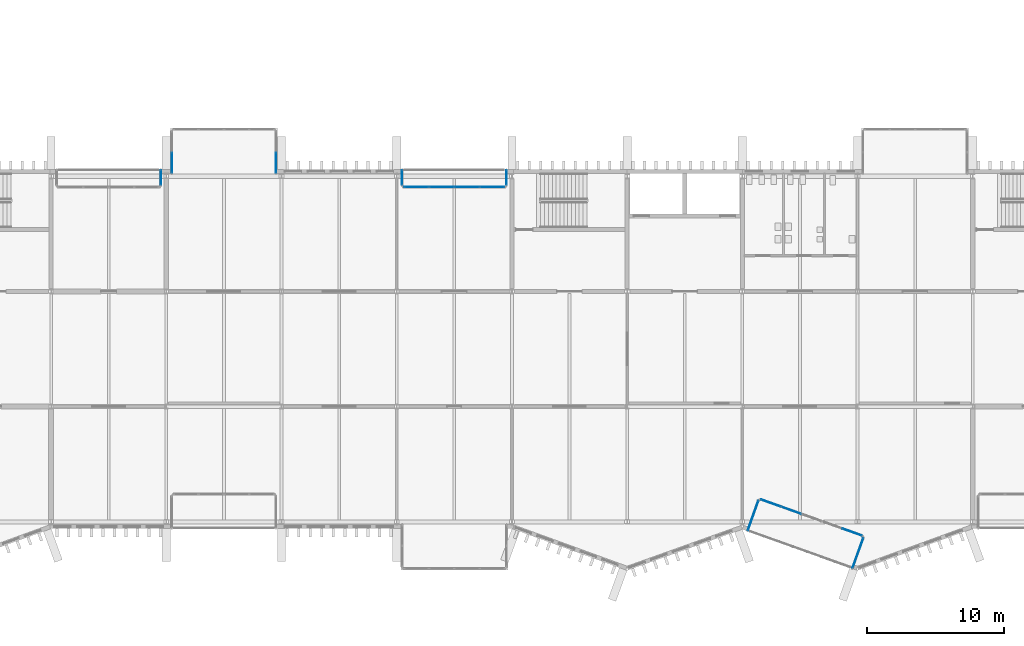
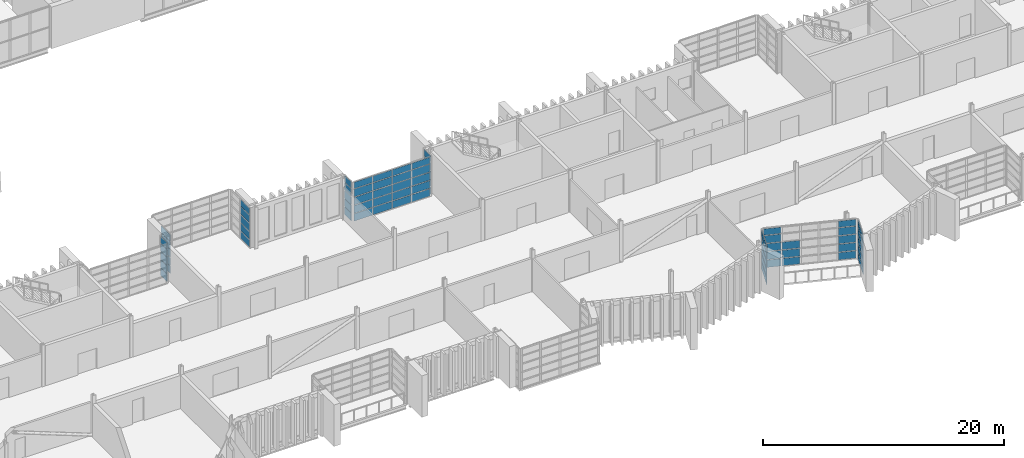
# One storey, part 50 of 100: 68 plates, 9 elements without a shape of their own.
"""IFC4 building model written with IfcOpenShell, lengths in metres."""

from ifc_helpers import new_model, si_unit, direction, frame, origin, origin_2d, place, context, subcontext, project, spatial, rectangle, extrude, material, layer, layer_set, type_object, element, aggregate, save


model = new_model("IFC4")

# Units and contexts
model_context = context("Model", 3, precision=1e-05, world=origin(), true_north=direction((0.0, 1.0)))
body_context = subcontext(model_context, "Body", "Model", "MODEL_VIEW")
ifc_project = project(units=[si_unit("LENGTHUNIT", "METRE"), si_unit("AREAUNIT", "SQUARE_METRE"), si_unit("VOLUMEUNIT", "CUBIC_METRE"), si_unit("PLANEANGLEUNIT", "RADIAN"), si_unit("MASSUNIT", "GRAM", prefix="KILO")], contexts=[model_context])

# Site, building, storey
site_placement = place(None, origin())
site = spatial("IfcSite", under=ifc_project, at=site_placement, CompositionType="ELEMENT")
building_placement = place(site_placement, origin())
building = spatial("IfcBuilding", under=site, at=building_placement, Name="Cresset Court Congress Hotel", CompositionType="ELEMENT")
storey_placement = place(building_placement, frame((0.0, 0.0, 10.199951171875)))
storey = spatial("IfcBuildingStorey", under=building, at=storey_placement, Name="L02", CompositionType="ELEMENT", Elevation=10.199951171875)

# Curtain wall, plates
ifc_material_1 = material(Name="Aluminium frame with double glazing", Category="aluminium")
ifc_layer_1 = layer(ifc_material_1, 0.199951171875)
ifc_layer_set_1 = layer_set([ifc_layer_1], Name="Glazed box curtain wall 1680 module")
curtain_wall_type = type_object("IfcCurtainWallType", Name="Glazed box curtain wall 1680 module", PredefinedType="NOTDEFINED", material=ifc_layer_set_1)
curtain_wall_1_placement = place(storey_placement, origin())
curtain_wall_1 = element("IfcCurtainWall", 1, at=curtain_wall_1_placement, inside=storey, type_object=curtain_wall_type, Name="Glazed box S0216 front", PredefinedType="NOTDEFINED")
ifc_material_2 = material(Name="Toughened double glazing", Category="glass")
ifc_layer_2 = layer(ifc_material_2, 0.028076171875)
ifc_layer_set_2 = layer_set([ifc_layer_2], Name="Box glass panel 28")
plate_type_1 = type_object("IfcPlateType", Name="Box glass panel 28", PredefinedType="CURTAIN_PANEL", material=ifc_layer_set_2)
plate_1_placement = place(storey_placement, frame((119.671630859375, 1.36474609375, 0.06005859375), z_axis=(0.0, 0.0, 1.0), x_axis=(0.941741911601, -0.336336396981, 0.0)))
plate_1 = element("IfcPlate", 2, at=plate_1_placement, type_object=plate_type_1, Name="B-X1 panel 1.1", PredefinedType="CURTAIN_PANEL", context=body_context, shape_type="SweptSolid", body=[
    extrude(rectangle(XDim=1.493896484375, YDim=0.028076171875, at=origin_2d()), origin(), (0.0, 0.0, 1.0), 0.739990234375),
])
plate_2_placement = place(storey_placement, frame((119.671630859375, 1.36474609375, 0.860107421875), z_axis=(0.0, 0.0, 1.0), x_axis=(0.941741911601, -0.336336396981, 0.0)))
plate_2 = element("IfcPlate", 3, at=plate_2_placement, type_object=plate_type_1, Name="B-X1 panel 1.2", PredefinedType="CURTAIN_PANEL", context=body_context, shape_type="SweptSolid", body=[
    extrude(rectangle(XDim=1.493896484375, YDim=0.028076171875, at=origin_2d()), origin(), (0.0, 0.0, 1.0), 0.77001953125),
])
plate_3_placement = place(storey_placement, frame((119.671630859375, 1.36474609375, 1.68994140625), z_axis=(0.0, 0.0, 1.0), x_axis=(0.941741911601, -0.336336396981, 0.0)))
plate_3 = element("IfcPlate", 4, at=plate_3_placement, type_object=plate_type_1, Name="B-X1 panel 1.3", PredefinedType="CURTAIN_PANEL", context=body_context, shape_type="SweptSolid", body=[
    extrude(rectangle(XDim=1.493896484375, YDim=0.028076171875, at=origin_2d()), origin(), (0.0, 0.0, 1.0), 0.77001953125),
])
plate_4_placement = place(storey_placement, frame((119.671630859375, 1.36474609375, 2.52001953125), z_axis=(0.0, 0.0, 1.0), x_axis=(0.941741911601, -0.336336396981, 0.0)))
plate_4 = element("IfcPlate", 5, at=plate_4_placement, type_object=plate_type_1, Name="B-X1 panel 1.4", PredefinedType="CURTAIN_PANEL", context=body_context, shape_type="SweptSolid", body=[
    extrude(rectangle(XDim=1.493896484375, YDim=0.028076171875, at=origin_2d()), origin(), (0.0, 0.0, 1.0), 0.77001953125),
])
plate_5_placement = place(storey_placement, frame((121.149169921875, 0.837158203125, 0.06005859375), z_axis=(0.0, 0.0, 1.0), x_axis=(0.941741911601, -0.336336396981, 0.0)))
plate_5 = element("IfcPlate", 6, at=plate_5_placement, type_object=plate_type_1, Name="B-X1 panel 2.1", PredefinedType="CURTAIN_PANEL", context=body_context, shape_type="SweptSolid", body=[
    extrude(rectangle(XDim=1.52392578125, YDim=0.028076171875, at=origin_2d()), origin(), (0.0, 0.0, 1.0), 0.739990234375),
])
plate_6_placement = place(storey_placement, frame((121.149169921875, 0.837158203125, 0.860107421875), z_axis=(0.0, 0.0, 1.0), x_axis=(0.941741911601, -0.336336396981, 0.0)))
plate_6 = element("IfcPlate", 7, at=plate_6_placement, type_object=plate_type_1, Name="B-X1 panel 2.2", PredefinedType="CURTAIN_PANEL", context=body_context, shape_type="SweptSolid", body=[
    extrude(rectangle(XDim=1.52392578125, YDim=0.028076171875, at=origin_2d()), origin(), (0.0, 0.0, 1.0), 0.77001953125),
])
plate_7_placement = place(storey_placement, frame((121.149169921875, 0.837158203125, 1.68994140625), z_axis=(0.0, 0.0, 1.0), x_axis=(0.941741911601, -0.336336396981, 0.0)))
plate_7 = element("IfcPlate", 8, at=plate_7_placement, type_object=plate_type_1, Name="B-X1 panel 2.3", PredefinedType="CURTAIN_PANEL", context=body_context, shape_type="SweptSolid", body=[
    extrude(rectangle(XDim=1.52392578125, YDim=0.028076171875, at=origin_2d()), origin(), (0.0, 0.0, 1.0), 0.77001953125),
])
plate_8_placement = place(storey_placement, frame((125.610107421875, -0.756103515625, 0.06005859375), z_axis=(0.0, 0.0, 1.0), x_axis=(0.941741911601, -0.336336396981, 0.0)))
plate_8 = element("IfcPlate", 9, at=plate_8_placement, type_object=plate_type_1, Name="B-X1 panel 5.1", PredefinedType="CURTAIN_PANEL", context=body_context, shape_type="SweptSolid", body=[
    extrude(rectangle(XDim=1.493896484375, YDim=0.028076171875, at=origin_2d()), origin(), (0.0, 0.0, 1.0), 0.739990234375),
])
plate_9_placement = place(storey_placement, frame((125.610107421875, -0.756103515625, 0.860107421875), z_axis=(0.0, 0.0, 1.0), x_axis=(0.941741911601, -0.336336396981, 0.0)))
plate_9 = element("IfcPlate", 10, at=plate_9_placement, type_object=plate_type_1, Name="B-X1 panel 5.2", PredefinedType="CURTAIN_PANEL", context=body_context, shape_type="SweptSolid", body=[
    extrude(rectangle(XDim=1.493896484375, YDim=0.028076171875, at=origin_2d()), origin(), (0.0, 0.0, 1.0), 0.77001953125),
])
plate_10_placement = place(storey_placement, frame((125.610107421875, -0.756103515625, 1.68994140625), z_axis=(0.0, 0.0, 1.0), x_axis=(0.941741911601, -0.336336396981, 0.0)))
plate_10 = element("IfcPlate", 11, at=plate_10_placement, type_object=plate_type_1, Name="B-X1 panel 5.3", PredefinedType="CURTAIN_PANEL", context=body_context, shape_type="SweptSolid", body=[
    extrude(rectangle(XDim=1.493896484375, YDim=0.028076171875, at=origin_2d()), origin(), (0.0, 0.0, 1.0), 0.77001953125),
])
plate_11_placement = place(storey_placement, frame((125.610107421875, -0.756103515625, 2.52001953125), z_axis=(0.0, 0.0, 1.0), x_axis=(0.941741911601, -0.336336396981, 0.0)))
plate_11 = element("IfcPlate", 12, at=plate_11_placement, type_object=plate_type_1, Name="B-X1 panel 5.4", PredefinedType="CURTAIN_PANEL", context=body_context, shape_type="SweptSolid", body=[
    extrude(rectangle(XDim=1.493896484375, YDim=0.028076171875, at=origin_2d()), origin(), (0.0, 0.0, 1.0), 0.77001953125),
])

curtain_wall_2_placement = place(storey_placement, origin())
curtain_wall_2 = element("IfcCurtainWall", 13, at=curtain_wall_2_placement, inside=storey, type_object=curtain_wall_type, Name="Glazed box S0216 side", PredefinedType="NOTDEFINED")
plate_12_placement = place(storey_placement, frame((118.38037109375, 0.445556640625, 0.06005859375), z_axis=(0.0, 0.0, 1.0), x_axis=(0.336336396685, 0.941741911707, 0.0)))
plate_12 = element("IfcPlate", 14, at=plate_12_placement, type_object=plate_type_1, Name="B-X1 panel 1.1", PredefinedType="CURTAIN_PANEL", context=body_context, shape_type="SweptSolid", body=[
    extrude(rectangle(XDim=2.280029296875, YDim=0.028076171875, at=origin_2d()), origin(), (0.0, 0.0, 1.0), 0.739990234375),
])
plate_13_placement = place(storey_placement, frame((118.38037109375, 0.445556640625, 0.860107421875), z_axis=(0.0, 0.0, 1.0), x_axis=(0.336336396685, 0.941741911707, 0.0)))
plate_13 = element("IfcPlate", 15, at=plate_13_placement, type_object=plate_type_1, Name="B-X1 panel 1.2", PredefinedType="CURTAIN_PANEL", context=body_context, shape_type="SweptSolid", body=[
    extrude(rectangle(XDim=2.280029296875, YDim=0.028076171875, at=origin_2d()), origin(), (0.0, 0.0, 1.0), 0.77001953125),
])
plate_14_placement = place(storey_placement, frame((118.38037109375, 0.445556640625, 1.68994140625), z_axis=(0.0, 0.0, 1.0), x_axis=(0.336336396685, 0.941741911707, 0.0)))
plate_14 = element("IfcPlate", 16, at=plate_14_placement, type_object=plate_type_1, Name="B-X1 panel 1.3", PredefinedType="CURTAIN_PANEL", context=body_context, shape_type="SweptSolid", body=[
    extrude(rectangle(XDim=2.280029296875, YDim=0.028076171875, at=origin_2d()), origin(), (0.0, 0.0, 1.0), 0.77001953125),
])
plate_15_placement = place(storey_placement, frame((118.38037109375, 0.445556640625, 2.52001953125), z_axis=(0.0, 0.0, 1.0), x_axis=(0.336336396685, 0.941741911707, 0.0)))
plate_15 = element("IfcPlate", 17, at=plate_15_placement, type_object=plate_type_1, Name="B-X1 panel 1.4", PredefinedType="CURTAIN_PANEL", context=body_context, shape_type="SweptSolid", body=[
    extrude(rectangle(XDim=2.280029296875, YDim=0.028076171875, at=origin_2d()), origin(), (0.0, 0.0, 1.0), 0.77001953125),
])

curtain_wall_3_placement = place(storey_placement, origin())
curtain_wall_3 = element("IfcCurtainWall", 18, at=curtain_wall_3_placement, inside=storey, type_object=curtain_wall_type, Name="Glazed box S0216 side", PredefinedType="NOTDEFINED")
plate_16_placement = place(storey_placement, frame((126.02685546875, -2.285400390625, 0.06005859375), z_axis=(0.0, 0.0, 1.0), x_axis=(0.336336397047, 0.941741911578, 0.0)))
plate_16 = element("IfcPlate", 19, at=plate_16_placement, type_object=plate_type_1, Name="B-X1 panel 1.1", PredefinedType="CURTAIN_PANEL", context=body_context, shape_type="SweptSolid", body=[
    extrude(rectangle(XDim=2.280029296875, YDim=0.028076171875, at=origin_2d()), origin(), (0.0, 0.0, 1.0), 0.739990234375),
])
plate_17_placement = place(storey_placement, frame((126.02685546875, -2.285400390625, 0.860107421875), z_axis=(0.0, 0.0, 1.0), x_axis=(0.336336397047, 0.941741911578, 0.0)))
plate_17 = element("IfcPlate", 20, at=plate_17_placement, type_object=plate_type_1, Name="B-X1 panel 1.2", PredefinedType="CURTAIN_PANEL", context=body_context, shape_type="SweptSolid", body=[
    extrude(rectangle(XDim=2.280029296875, YDim=0.028076171875, at=origin_2d()), origin(), (0.0, 0.0, 1.0), 0.77001953125),
])
plate_18_placement = place(storey_placement, frame((126.02685546875, -2.285400390625, 1.68994140625), z_axis=(0.0, 0.0, 1.0), x_axis=(0.336336397047, 0.941741911578, 0.0)))
plate_18 = element("IfcPlate", 21, at=plate_18_placement, type_object=plate_type_1, Name="B-X1 panel 1.3", PredefinedType="CURTAIN_PANEL", context=body_context, shape_type="SweptSolid", body=[
    extrude(rectangle(XDim=2.280029296875, YDim=0.028076171875, at=origin_2d()), origin(), (0.0, 0.0, 1.0), 0.77001953125),
])
plate_19_placement = place(storey_placement, frame((126.02685546875, -2.285400390625, 2.52001953125), z_axis=(0.0, 0.0, 1.0), x_axis=(0.336336397047, 0.941741911578, 0.0)))
plate_19 = element("IfcPlate", 22, at=plate_19_placement, type_object=plate_type_1, Name="B-X1 panel 1.4", PredefinedType="CURTAIN_PANEL", context=body_context, shape_type="SweptSolid", body=[
    extrude(rectangle(XDim=2.280029296875, YDim=0.028076171875, at=origin_2d()), origin(), (0.0, 0.0, 1.0), 0.77001953125),
])

curtain_wall_4_placement = place(storey_placement, origin())
curtain_wall_4 = element("IfcCurtainWall", 23, at=curtain_wall_4_placement, inside=storey, type_object=curtain_wall_type, Name="Glazed box N0226 side", PredefinedType="NOTDEFINED")
plate_20_placement = place(storey_placement, frame((75.199951171875, 25.10009765625, 0.06005859375), z_axis=(0.0, 0.0, 1.0), x_axis=(0.0, -1.0, 0.0)))
plate_20 = element("IfcPlate", 24, at=plate_20_placement, type_object=plate_type_1, Name="B-X1 panel 1.1", PredefinedType="CURTAIN_PANEL", context=body_context, shape_type="SweptSolid", body=[
    extrude(rectangle(XDim=1.080078125, YDim=0.028076171875, at=origin_2d()), origin(), (0.0, 0.0, 1.0), 0.739990234375),
])
plate_21_placement = place(storey_placement, frame((75.199951171875, 25.10009765625, 0.860107421875), z_axis=(0.0, 0.0, 1.0), x_axis=(0.0, -1.0, 0.0)))
plate_21 = element("IfcPlate", 25, at=plate_21_placement, type_object=plate_type_1, Name="B-X1 panel 1.2", PredefinedType="CURTAIN_PANEL", context=body_context, shape_type="SweptSolid", body=[
    extrude(rectangle(XDim=1.080078125, YDim=0.028076171875, at=origin_2d()), origin(), (0.0, 0.0, 1.0), 0.77001953125),
])
plate_22_placement = place(storey_placement, frame((75.199951171875, 25.10009765625, 1.68994140625), z_axis=(0.0, 0.0, 1.0), x_axis=(0.0, -1.0, 0.0)))
plate_22 = element("IfcPlate", 26, at=plate_22_placement, type_object=plate_type_1, Name="B-X1 panel 1.3", PredefinedType="CURTAIN_PANEL", context=body_context, shape_type="SweptSolid", body=[
    extrude(rectangle(XDim=1.080078125, YDim=0.028076171875, at=origin_2d()), origin(), (0.0, 0.0, 1.0), 0.77001953125),
])
plate_23_placement = place(storey_placement, frame((75.199951171875, 25.10009765625, 2.52001953125), z_axis=(0.0, 0.0, 1.0), x_axis=(0.0, -1.0, 0.0)))
plate_23 = element("IfcPlate", 27, at=plate_23_placement, type_object=plate_type_1, Name="B-X1 panel 1.4", PredefinedType="CURTAIN_PANEL", context=body_context, shape_type="SweptSolid", body=[
    extrude(rectangle(XDim=1.080078125, YDim=0.028076171875, at=origin_2d()), origin(), (0.0, 0.0, 1.0), 0.77001953125),
])

curtain_wall_5_placement = place(storey_placement, origin())
curtain_wall_5 = element("IfcCurtainWall", 28, at=curtain_wall_5_placement, inside=storey, type_object=curtain_wall_type, Name="Glazed box N0228 side", PredefinedType="NOTDEFINED")
plate_24_placement = place(storey_placement, frame((76.0, 26.18994140625, 0.06005859375), z_axis=(0.0, 0.0, 1.0), x_axis=(0.0, 1.0, 0.0)))
plate_24 = element("IfcPlate", 29, at=plate_24_placement, type_object=plate_type_1, Name="B-X1 panel 1.1", PredefinedType="CURTAIN_PANEL", context=body_context, shape_type="SweptSolid", body=[
    extrude(rectangle(XDim=1.4599609375, YDim=0.028076171875, at=origin_2d()), origin(), (0.0, 0.0, 1.0), 0.739990234375),
])
plate_25_placement = place(storey_placement, frame((76.0, 26.18994140625, 0.860107421875), z_axis=(0.0, 0.0, 1.0), x_axis=(0.0, 1.0, 0.0)))
plate_25 = element("IfcPlate", 30, at=plate_25_placement, type_object=plate_type_1, Name="B-X1 panel 1.2", PredefinedType="CURTAIN_PANEL", context=body_context, shape_type="SweptSolid", body=[
    extrude(rectangle(XDim=1.4599609375, YDim=0.028076171875, at=origin_2d()), origin(), (0.0, 0.0, 1.0), 0.77001953125),
])
plate_26_placement = place(storey_placement, frame((76.0, 26.18994140625, 1.68994140625), z_axis=(0.0, 0.0, 1.0), x_axis=(0.0, 1.0, 0.0)))
plate_26 = element("IfcPlate", 31, at=plate_26_placement, type_object=plate_type_1, Name="B-X1 panel 1.3", PredefinedType="CURTAIN_PANEL", context=body_context, shape_type="SweptSolid", body=[
    extrude(rectangle(XDim=1.4599609375, YDim=0.028076171875, at=origin_2d()), origin(), (0.0, 0.0, 1.0), 0.77001953125),
])
plate_27_placement = place(storey_placement, frame((76.0, 26.18994140625, 2.52001953125), z_axis=(0.0, 0.0, 1.0), x_axis=(0.0, 1.0, 0.0)))
plate_27 = element("IfcPlate", 32, at=plate_27_placement, type_object=plate_type_1, Name="B-X1 panel 1.4", PredefinedType="CURTAIN_PANEL", context=body_context, shape_type="SweptSolid", body=[
    extrude(rectangle(XDim=1.4599609375, YDim=0.028076171875, at=origin_2d()), origin(), (0.0, 0.0, 1.0), 0.77001953125),
])

curtain_wall_6_placement = place(storey_placement, origin())
curtain_wall_6 = element("IfcCurtainWall", 33, at=curtain_wall_6_placement, inside=storey, type_object=curtain_wall_type, Name="Glazed box N0228 side", PredefinedType="NOTDEFINED")
plate_28_placement = place(storey_placement, frame((83.60009765625, 26.18994140625, 0.06005859375), z_axis=(0.0, 0.0, 1.0), x_axis=(0.0, 1.0, 0.0)))
plate_28 = element("IfcPlate", 34, at=plate_28_placement, type_object=plate_type_1, Name="B-X1 panel 1.1", PredefinedType="CURTAIN_PANEL", context=body_context, shape_type="SweptSolid", body=[
    extrude(rectangle(XDim=1.4599609375, YDim=0.028076171875, at=origin_2d()), origin(), (0.0, 0.0, 1.0), 0.739990234375),
])
plate_29_placement = place(storey_placement, frame((83.60009765625, 26.18994140625, 0.860107421875), z_axis=(0.0, 0.0, 1.0), x_axis=(0.0, 1.0, 0.0)))
plate_29 = element("IfcPlate", 35, at=plate_29_placement, type_object=plate_type_1, Name="B-X1 panel 1.2", PredefinedType="CURTAIN_PANEL", context=body_context, shape_type="SweptSolid", body=[
    extrude(rectangle(XDim=1.4599609375, YDim=0.028076171875, at=origin_2d()), origin(), (0.0, 0.0, 1.0), 0.77001953125),
])
plate_30_placement = place(storey_placement, frame((83.60009765625, 26.18994140625, 1.68994140625), z_axis=(0.0, 0.0, 1.0), x_axis=(0.0, 1.0, 0.0)))
plate_30 = element("IfcPlate", 36, at=plate_30_placement, type_object=plate_type_1, Name="B-X1 panel 1.3", PredefinedType="CURTAIN_PANEL", context=body_context, shape_type="SweptSolid", body=[
    extrude(rectangle(XDim=1.4599609375, YDim=0.028076171875, at=origin_2d()), origin(), (0.0, 0.0, 1.0), 0.77001953125),
])
plate_31_placement = place(storey_placement, frame((83.60009765625, 26.18994140625, 2.52001953125), z_axis=(0.0, 0.0, 1.0), x_axis=(0.0, 1.0, 0.0)))
plate_31 = element("IfcPlate", 37, at=plate_31_placement, type_object=plate_type_1, Name="B-X1 panel 1.4", PredefinedType="CURTAIN_PANEL", context=body_context, shape_type="SweptSolid", body=[
    extrude(rectangle(XDim=1.4599609375, YDim=0.028076171875, at=origin_2d()), origin(), (0.0, 0.0, 1.0), 0.77001953125),
])

curtain_wall_7_placement = place(storey_placement, origin())
curtain_wall_7 = element("IfcCurtainWall", 38, at=curtain_wall_7_placement, inside=storey, type_object=curtain_wall_type, Name="Glazed box N0230 front", PredefinedType="NOTDEFINED")
plate_32_placement = place(storey_placement, frame((93.840087890625, 24.39990234375, 0.06005859375), z_axis=(0.0, 0.0, 1.0), x_axis=(1.0, 0.0, 0.0)))
plate_32 = element("IfcPlate", 39, at=plate_32_placement, type_object=plate_type_1, Name="B-X1 panel 1.1", PredefinedType="CURTAIN_PANEL", context=body_context, shape_type="SweptSolid", body=[
    extrude(rectangle(XDim=1.760009765625, YDim=0.028076171875, at=origin_2d()), origin(), (0.0, 0.0, 1.0), 0.739990234375),
])
plate_33_placement = place(storey_placement, frame((93.840087890625, 24.39990234375, 0.860107421875), z_axis=(0.0, 0.0, 1.0), x_axis=(1.0, 0.0, 0.0)))
plate_33 = element("IfcPlate", 40, at=plate_33_placement, type_object=plate_type_1, Name="B-X1 panel 1.2", PredefinedType="CURTAIN_PANEL", context=body_context, shape_type="SweptSolid", body=[
    extrude(rectangle(XDim=1.760009765625, YDim=0.028076171875, at=origin_2d()), origin(), (0.0, 0.0, 1.0), 0.77001953125),
])
plate_34_placement = place(storey_placement, frame((93.840087890625, 24.39990234375, 1.68994140625), z_axis=(0.0, 0.0, 1.0), x_axis=(1.0, 0.0, 0.0)))
plate_34 = element("IfcPlate", 41, at=plate_34_placement, type_object=plate_type_1, Name="B-X1 panel 1.3", PredefinedType="CURTAIN_PANEL", context=body_context, shape_type="SweptSolid", body=[
    extrude(rectangle(XDim=1.760009765625, YDim=0.028076171875, at=origin_2d()), origin(), (0.0, 0.0, 1.0), 0.77001953125),
])
plate_35_placement = place(storey_placement, frame((93.840087890625, 24.39990234375, 2.52001953125), z_axis=(0.0, 0.0, 1.0), x_axis=(1.0, 0.0, 0.0)))
plate_35 = element("IfcPlate", 42, at=plate_35_placement, type_object=plate_type_1, Name="B-X1 panel 1.4", PredefinedType="CURTAIN_PANEL", context=body_context, shape_type="SweptSolid", body=[
    extrude(rectangle(XDim=1.760009765625, YDim=0.028076171875, at=origin_2d()), origin(), (0.0, 0.0, 1.0), 0.77001953125),
])
plate_36_placement = place(storey_placement, frame((95.675048828125, 24.39990234375, 0.06005859375), z_axis=(0.0, 0.0, 1.0), x_axis=(1.0, 0.0, 0.0)))
plate_36 = element("IfcPlate", 43, at=plate_36_placement, type_object=plate_type_1, Name="B-X1 panel 2.1", PredefinedType="CURTAIN_PANEL", context=body_context, shape_type="SweptSolid", body=[
    extrude(rectangle(XDim=1.7900390625, YDim=0.028076171875, at=origin_2d()), origin(), (0.0, 0.0, 1.0), 0.739990234375),
])
plate_37_placement = place(storey_placement, frame((95.675048828125, 24.39990234375, 0.860107421875), z_axis=(0.0, 0.0, 1.0), x_axis=(1.0, 0.0, 0.0)))
plate_37 = element("IfcPlate", 44, at=plate_37_placement, type_object=plate_type_1, Name="B-X1 panel 2.2", PredefinedType="CURTAIN_PANEL", context=body_context, shape_type="SweptSolid", body=[
    extrude(rectangle(XDim=1.7900390625, YDim=0.028076171875, at=origin_2d()), origin(), (0.0, 0.0, 1.0), 0.77001953125),
])
plate_38_placement = place(storey_placement, frame((95.675048828125, 24.39990234375, 1.68994140625), z_axis=(0.0, 0.0, 1.0), x_axis=(1.0, 0.0, 0.0)))
plate_38 = element("IfcPlate", 45, at=plate_38_placement, type_object=plate_type_1, Name="B-X1 panel 2.3", PredefinedType="CURTAIN_PANEL", context=body_context, shape_type="SweptSolid", body=[
    extrude(rectangle(XDim=1.7900390625, YDim=0.028076171875, at=origin_2d()), origin(), (0.0, 0.0, 1.0), 0.77001953125),
])
plate_39_placement = place(storey_placement, frame((95.675048828125, 24.39990234375, 2.52001953125), z_axis=(0.0, 0.0, 1.0), x_axis=(1.0, 0.0, 0.0)))
plate_39 = element("IfcPlate", 46, at=plate_39_placement, type_object=plate_type_1, Name="B-X1 panel 2.4", PredefinedType="CURTAIN_PANEL", context=body_context, shape_type="SweptSolid", body=[
    extrude(rectangle(XDim=1.7900390625, YDim=0.028076171875, at=origin_2d()), origin(), (0.0, 0.0, 1.0), 0.77001953125),
])
plate_40_placement = place(storey_placement, frame((97.52490234375, 24.39990234375, 0.06005859375), z_axis=(0.0, 0.0, 1.0), x_axis=(1.0, 0.0, 0.0)))
plate_40 = element("IfcPlate", 47, at=plate_40_placement, type_object=plate_type_1, Name="B-X1 panel 3.1", PredefinedType="CURTAIN_PANEL", context=body_context, shape_type="SweptSolid", body=[
    extrude(rectangle(XDim=1.7900390625, YDim=0.028076171875, at=origin_2d()), origin(), (0.0, 0.0, 1.0), 0.739990234375),
])
plate_41_placement = place(storey_placement, frame((97.52490234375, 24.39990234375, 0.860107421875), z_axis=(0.0, 0.0, 1.0), x_axis=(1.0, 0.0, 0.0)))
plate_41 = element("IfcPlate", 48, at=plate_41_placement, type_object=plate_type_1, Name="B-X1 panel 3.2", PredefinedType="CURTAIN_PANEL", context=body_context, shape_type="SweptSolid", body=[
    extrude(rectangle(XDim=1.7900390625, YDim=0.028076171875, at=origin_2d()), origin(), (0.0, 0.0, 1.0), 0.77001953125),
])
plate_42_placement = place(storey_placement, frame((97.52490234375, 24.39990234375, 1.68994140625), z_axis=(0.0, 0.0, 1.0), x_axis=(1.0, 0.0, 0.0)))
plate_42 = element("IfcPlate", 49, at=plate_42_placement, type_object=plate_type_1, Name="B-X1 panel 3.3", PredefinedType="CURTAIN_PANEL", context=body_context, shape_type="SweptSolid", body=[
    extrude(rectangle(XDim=1.7900390625, YDim=0.028076171875, at=origin_2d()), origin(), (0.0, 0.0, 1.0), 0.77001953125),
])
plate_43_placement = place(storey_placement, frame((97.52490234375, 24.39990234375, 2.52001953125), z_axis=(0.0, 0.0, 1.0), x_axis=(1.0, 0.0, 0.0)))
plate_43 = element("IfcPlate", 50, at=plate_43_placement, type_object=plate_type_1, Name="B-X1 panel 3.4", PredefinedType="CURTAIN_PANEL", context=body_context, shape_type="SweptSolid", body=[
    extrude(rectangle(XDim=1.7900390625, YDim=0.028076171875, at=origin_2d()), origin(), (0.0, 0.0, 1.0), 0.77001953125),
])
plate_44_placement = place(storey_placement, frame((99.360107421875, 24.39990234375, 0.06005859375), z_axis=(0.0, 0.0, 1.0), x_axis=(1.0, 0.0, 0.0)))
plate_44 = element("IfcPlate", 51, at=plate_44_placement, type_object=plate_type_1, Name="B-X1 panel 4.1", PredefinedType="CURTAIN_PANEL", context=body_context, shape_type="SweptSolid", body=[
    extrude(rectangle(XDim=1.760009765625, YDim=0.028076171875, at=origin_2d()), origin(), (0.0, 0.0, 1.0), 0.739990234375),
])
plate_45_placement = place(storey_placement, frame((99.360107421875, 24.39990234375, 0.860107421875), z_axis=(0.0, 0.0, 1.0), x_axis=(1.0, 0.0, 0.0)))
plate_45 = element("IfcPlate", 52, at=plate_45_placement, type_object=plate_type_1, Name="B-X1 panel 4.2", PredefinedType="CURTAIN_PANEL", context=body_context, shape_type="SweptSolid", body=[
    extrude(rectangle(XDim=1.760009765625, YDim=0.028076171875, at=origin_2d()), origin(), (0.0, 0.0, 1.0), 0.77001953125),
])
plate_46_placement = place(storey_placement, frame((99.360107421875, 24.39990234375, 1.68994140625), z_axis=(0.0, 0.0, 1.0), x_axis=(1.0, 0.0, 0.0)))
plate_46 = element("IfcPlate", 53, at=plate_46_placement, type_object=plate_type_1, Name="B-X1 panel 4.3", PredefinedType="CURTAIN_PANEL", context=body_context, shape_type="SweptSolid", body=[
    extrude(rectangle(XDim=1.760009765625, YDim=0.028076171875, at=origin_2d()), origin(), (0.0, 0.0, 1.0), 0.77001953125),
])
plate_47_placement = place(storey_placement, frame((99.360107421875, 24.39990234375, 2.52001953125), z_axis=(0.0, 0.0, 1.0), x_axis=(1.0, 0.0, 0.0)))
plate_47 = element("IfcPlate", 54, at=plate_47_placement, type_object=plate_type_1, Name="B-X1 panel 4.4", PredefinedType="CURTAIN_PANEL", context=body_context, shape_type="SweptSolid", body=[
    extrude(rectangle(XDim=1.760009765625, YDim=0.028076171875, at=origin_2d()), origin(), (0.0, 0.0, 1.0), 0.77001953125),
])

curtain_wall_8_placement = place(storey_placement, origin())
curtain_wall_8 = element("IfcCurtainWall", 55, at=curtain_wall_8_placement, inside=storey, type_object=curtain_wall_type, Name="Glazed box N0230 side", PredefinedType="NOTDEFINED")
plate_48_placement = place(storey_placement, frame((92.800048828125, 25.10009765625, 0.06005859375), z_axis=(0.0, 0.0, 1.0), x_axis=(0.0, -1.0, 0.0)))
plate_48 = element("IfcPlate", 56, at=plate_48_placement, type_object=plate_type_1, Name="B-X1 panel 1.1", PredefinedType="CURTAIN_PANEL", context=body_context, shape_type="SweptSolid", body=[
    extrude(rectangle(XDim=1.080078125, YDim=0.028076171875, at=origin_2d()), origin(), (0.0, 0.0, 1.0), 0.739990234375),
])
plate_49_placement = place(storey_placement, frame((92.800048828125, 25.10009765625, 0.860107421875), z_axis=(0.0, 0.0, 1.0), x_axis=(0.0, -1.0, 0.0)))
plate_49 = element("IfcPlate", 57, at=plate_49_placement, type_object=plate_type_1, Name="B-X1 panel 1.2", PredefinedType="CURTAIN_PANEL", context=body_context, shape_type="SweptSolid", body=[
    extrude(rectangle(XDim=1.080078125, YDim=0.028076171875, at=origin_2d()), origin(), (0.0, 0.0, 1.0), 0.77001953125),
])
plate_50_placement = place(storey_placement, frame((92.800048828125, 25.10009765625, 1.68994140625), z_axis=(0.0, 0.0, 1.0), x_axis=(0.0, -1.0, 0.0)))
plate_50 = element("IfcPlate", 58, at=plate_50_placement, type_object=plate_type_1, Name="B-X1 panel 1.3", PredefinedType="CURTAIN_PANEL", context=body_context, shape_type="SweptSolid", body=[
    extrude(rectangle(XDim=1.080078125, YDim=0.028076171875, at=origin_2d()), origin(), (0.0, 0.0, 1.0), 0.77001953125),
])
plate_51_placement = place(storey_placement, frame((92.800048828125, 25.10009765625, 2.52001953125), z_axis=(0.0, 0.0, 1.0), x_axis=(0.0, -1.0, 0.0)))
plate_51 = element("IfcPlate", 59, at=plate_51_placement, type_object=plate_type_1, Name="B-X1 panel 1.4", PredefinedType="CURTAIN_PANEL", context=body_context, shape_type="SweptSolid", body=[
    extrude(rectangle(XDim=1.080078125, YDim=0.028076171875, at=origin_2d()), origin(), (0.0, 0.0, 1.0), 0.77001953125),
])

curtain_wall_9_placement = place(storey_placement, origin())
curtain_wall_9 = element("IfcCurtainWall", 60, at=curtain_wall_9_placement, inside=storey, type_object=curtain_wall_type, Name="Glazed box N0230 side", PredefinedType="NOTDEFINED")
plate_52_placement = place(storey_placement, frame((100.39990234375, 25.10009765625, 0.06005859375), z_axis=(0.0, 0.0, 1.0), x_axis=(0.0, -1.0, 0.0)))
plate_52 = element("IfcPlate", 61, at=plate_52_placement, type_object=plate_type_1, Name="B-X1 panel 1.1", PredefinedType="CURTAIN_PANEL", context=body_context, shape_type="SweptSolid", body=[
    extrude(rectangle(XDim=1.080078125, YDim=0.028076171875, at=origin_2d()), origin(), (0.0, 0.0, 1.0), 0.739990234375),
])
plate_53_placement = place(storey_placement, frame((100.39990234375, 25.10009765625, 0.860107421875), z_axis=(0.0, 0.0, 1.0), x_axis=(0.0, -1.0, 0.0)))
plate_53 = element("IfcPlate", 62, at=plate_53_placement, type_object=plate_type_1, Name="B-X1 panel 1.2", PredefinedType="CURTAIN_PANEL", context=body_context, shape_type="SweptSolid", body=[
    extrude(rectangle(XDim=1.080078125, YDim=0.028076171875, at=origin_2d()), origin(), (0.0, 0.0, 1.0), 0.77001953125),
])
plate_54_placement = place(storey_placement, frame((100.39990234375, 25.10009765625, 1.68994140625), z_axis=(0.0, 0.0, 1.0), x_axis=(0.0, -1.0, 0.0)))
plate_54 = element("IfcPlate", 63, at=plate_54_placement, type_object=plate_type_1, Name="B-X1 panel 1.3", PredefinedType="CURTAIN_PANEL", context=body_context, shape_type="SweptSolid", body=[
    extrude(rectangle(XDim=1.080078125, YDim=0.028076171875, at=origin_2d()), origin(), (0.0, 0.0, 1.0), 0.77001953125),
])
plate_55_placement = place(storey_placement, frame((100.39990234375, 25.10009765625, 2.52001953125), z_axis=(0.0, 0.0, 1.0), x_axis=(0.0, -1.0, 0.0)))
plate_55 = element("IfcPlate", 64, at=plate_55_placement, type_object=plate_type_1, Name="B-X1 panel 1.4", PredefinedType="CURTAIN_PANEL", context=body_context, shape_type="SweptSolid", body=[
    extrude(rectangle(XDim=1.080078125, YDim=0.028076171875, at=origin_2d()), origin(), (0.0, 0.0, 1.0), 0.77001953125),
])

# Plate
ifc_material_3 = material(Name="Insulated aluminium spandrel panel", Category="aluminium")
ifc_layer_3 = layer(ifc_material_3, 0.0400390625)
ifc_layer_set_3 = layer_set([ifc_layer_3], Name="Box spandrel panel 40")
plate_type_2 = type_object("IfcPlateType", Name="Box spandrel panel 40", PredefinedType="CURTAIN_PANEL", material=ifc_layer_set_3)
plate_56_placement = place(storey_placement, frame((119.671630859375, 1.36474609375, 3.35009765625), z_axis=(0.0, 0.0, 1.0), x_axis=(0.941741911601, -0.336336396981, 0.0)))
plate_56 = element("IfcPlate", 65, at=plate_56_placement, type_object=plate_type_2, Name="B-X1 spandrel panel 1.5", PredefinedType="CURTAIN_PANEL", context=body_context, shape_type="SweptSolid", body=[
    extrude(rectangle(XDim=1.493896484375, YDim=0.0400390625, at=origin_2d()), origin(), (0.0, 0.0, 1.0), 0.639892578125),
])

plate_57_placement = place(storey_placement, frame((125.610107421875, -0.756103515625, 3.35009765625), z_axis=(0.0, 0.0, 1.0), x_axis=(0.941741911601, -0.336336396981, 0.0)))
plate_57 = element("IfcPlate", 66, at=plate_57_placement, type_object=plate_type_2, Name="B-X1 spandrel panel 5.5", PredefinedType="CURTAIN_PANEL", context=body_context, shape_type="SweptSolid", body=[
    extrude(rectangle(XDim=1.493896484375, YDim=0.0400390625, at=origin_2d()), origin(), (0.0, 0.0, 1.0), 0.639892578125),
])

aggregate(curtain_wall_1, [plate_1, plate_2, plate_3, plate_4, plate_56, plate_5, plate_6, plate_7, plate_8, plate_9, plate_10, plate_11, plate_57])

plate_58_placement = place(storey_placement, frame((118.38037109375, 0.445556640625, 3.35009765625), z_axis=(0.0, 0.0, 1.0), x_axis=(0.336336396685, 0.941741911707, 0.0)))
plate_58 = element("IfcPlate", 67, at=plate_58_placement, type_object=plate_type_2, Name="B-X1 spandrel panel 1.5", PredefinedType="CURTAIN_PANEL", context=body_context, shape_type="SweptSolid", body=[
    extrude(rectangle(XDim=2.280029296875, YDim=0.0400390625, at=origin_2d()), origin(), (0.0, 0.0, 1.0), 0.639892578125),
])

aggregate(curtain_wall_2, [plate_12, plate_13, plate_14, plate_15, plate_58])

plate_59_placement = place(storey_placement, frame((126.02685546875, -2.285400390625, 3.35009765625), z_axis=(0.0, 0.0, 1.0), x_axis=(0.336336397047, 0.941741911578, 0.0)))
plate_59 = element("IfcPlate", 68, at=plate_59_placement, type_object=plate_type_2, Name="B-X1 spandrel panel 1.5", PredefinedType="CURTAIN_PANEL", context=body_context, shape_type="SweptSolid", body=[
    extrude(rectangle(XDim=2.280029296875, YDim=0.0400390625, at=origin_2d()), origin(), (0.0, 0.0, 1.0), 0.639892578125),
])

aggregate(curtain_wall_3, [plate_16, plate_17, plate_18, plate_19, plate_59])

plate_60_placement = place(storey_placement, frame((75.199951171875, 25.10009765625, 3.35009765625), z_axis=(0.0, 0.0, 1.0), x_axis=(0.0, -1.0, 0.0)))
plate_60 = element("IfcPlate", 69, at=plate_60_placement, type_object=plate_type_2, Name="B-X1 spandrel panel 1.5", PredefinedType="CURTAIN_PANEL", context=body_context, shape_type="SweptSolid", body=[
    extrude(rectangle(XDim=1.080078125, YDim=0.0400390625, at=origin_2d()), origin(), (0.0, 0.0, 1.0), 0.639892578125),
])

aggregate(curtain_wall_4, [plate_20, plate_21, plate_22, plate_23, plate_60])

plate_61_placement = place(storey_placement, frame((76.0, 26.18994140625, 3.35009765625), z_axis=(0.0, 0.0, 1.0), x_axis=(0.0, 1.0, 0.0)))
plate_61 = element("IfcPlate", 70, at=plate_61_placement, type_object=plate_type_2, Name="B-X1 spandrel panel 1.5", PredefinedType="CURTAIN_PANEL", context=body_context, shape_type="SweptSolid", body=[
    extrude(rectangle(XDim=1.4599609375, YDim=0.0400390625, at=origin_2d()), origin(), (0.0, 0.0, 1.0), 0.639892578125),
])

aggregate(curtain_wall_5, [plate_24, plate_25, plate_26, plate_27, plate_61])

plate_62_placement = place(storey_placement, frame((83.60009765625, 26.18994140625, 3.35009765625), z_axis=(0.0, 0.0, 1.0), x_axis=(0.0, 1.0, 0.0)))
plate_62 = element("IfcPlate", 71, at=plate_62_placement, type_object=plate_type_2, Name="B-X1 spandrel panel 1.5", PredefinedType="CURTAIN_PANEL", context=body_context, shape_type="SweptSolid", body=[
    extrude(rectangle(XDim=1.4599609375, YDim=0.0400390625, at=origin_2d()), origin(), (0.0, 0.0, 1.0), 0.639892578125),
])

aggregate(curtain_wall_6, [plate_28, plate_29, plate_30, plate_31, plate_62])

plate_63_placement = place(storey_placement, frame((93.840087890625, 24.39990234375, 3.35009765625), z_axis=(0.0, 0.0, 1.0), x_axis=(1.0, 0.0, 0.0)))
plate_63 = element("IfcPlate", 72, at=plate_63_placement, type_object=plate_type_2, Name="B-X1 spandrel panel 1.5", PredefinedType="CURTAIN_PANEL", context=body_context, shape_type="SweptSolid", body=[
    extrude(rectangle(XDim=1.760009765625, YDim=0.0400390625, at=origin_2d()), origin(), (0.0, 0.0, 1.0), 0.639892578125),
])

plate_64_placement = place(storey_placement, frame((95.675048828125, 24.39990234375, 3.35009765625), z_axis=(0.0, 0.0, 1.0), x_axis=(1.0, 0.0, 0.0)))
plate_64 = element("IfcPlate", 73, at=plate_64_placement, type_object=plate_type_2, Name="B-X1 spandrel panel 2.5", PredefinedType="CURTAIN_PANEL", context=body_context, shape_type="SweptSolid", body=[
    extrude(rectangle(XDim=1.7900390625, YDim=0.0400390625, at=origin_2d()), origin(), (0.0, 0.0, 1.0), 0.639892578125),
])

plate_65_placement = place(storey_placement, frame((97.52490234375, 24.39990234375, 3.35009765625), z_axis=(0.0, 0.0, 1.0), x_axis=(1.0, 0.0, 0.0)))
plate_65 = element("IfcPlate", 74, at=plate_65_placement, type_object=plate_type_2, Name="B-X1 spandrel panel 3.5", PredefinedType="CURTAIN_PANEL", context=body_context, shape_type="SweptSolid", body=[
    extrude(rectangle(XDim=1.7900390625, YDim=0.0400390625, at=origin_2d()), origin(), (0.0, 0.0, 1.0), 0.639892578125),
])

plate_66_placement = place(storey_placement, frame((99.360107421875, 24.39990234375, 3.35009765625), z_axis=(0.0, 0.0, 1.0), x_axis=(1.0, 0.0, 0.0)))
plate_66 = element("IfcPlate", 75, at=plate_66_placement, type_object=plate_type_2, Name="B-X1 spandrel panel 4.5", PredefinedType="CURTAIN_PANEL", context=body_context, shape_type="SweptSolid", body=[
    extrude(rectangle(XDim=1.760009765625, YDim=0.0400390625, at=origin_2d()), origin(), (0.0, 0.0, 1.0), 0.639892578125),
])

aggregate(curtain_wall_7, [plate_32, plate_33, plate_34, plate_35, plate_63, plate_36, plate_37, plate_38, plate_39, plate_64, plate_40, plate_41, plate_42, plate_43, plate_65, plate_44, plate_45, plate_46, plate_47, plate_66])

plate_67_placement = place(storey_placement, frame((92.800048828125, 25.10009765625, 3.35009765625), z_axis=(0.0, 0.0, 1.0), x_axis=(0.0, -1.0, 0.0)))
plate_67 = element("IfcPlate", 76, at=plate_67_placement, type_object=plate_type_2, Name="B-X1 spandrel panel 1.5", PredefinedType="CURTAIN_PANEL", context=body_context, shape_type="SweptSolid", body=[
    extrude(rectangle(XDim=1.080078125, YDim=0.0400390625, at=origin_2d()), origin(), (0.0, 0.0, 1.0), 0.639892578125),
])

aggregate(curtain_wall_8, [plate_48, plate_49, plate_50, plate_51, plate_67])

plate_68_placement = place(storey_placement, frame((100.39990234375, 25.10009765625, 3.35009765625), z_axis=(0.0, 0.0, 1.0), x_axis=(0.0, -1.0, 0.0)))
plate_68 = element("IfcPlate", 77, at=plate_68_placement, type_object=plate_type_2, Name="B-X1 spandrel panel 1.5", PredefinedType="CURTAIN_PANEL", context=body_context, shape_type="SweptSolid", body=[
    extrude(rectangle(XDim=1.080078125, YDim=0.0400390625, at=origin_2d()), origin(), (0.0, 0.0, 1.0), 0.639892578125),
])

aggregate(curtain_wall_9, [plate_52, plate_53, plate_54, plate_55, plate_68])

save(model, "model.ifc")
